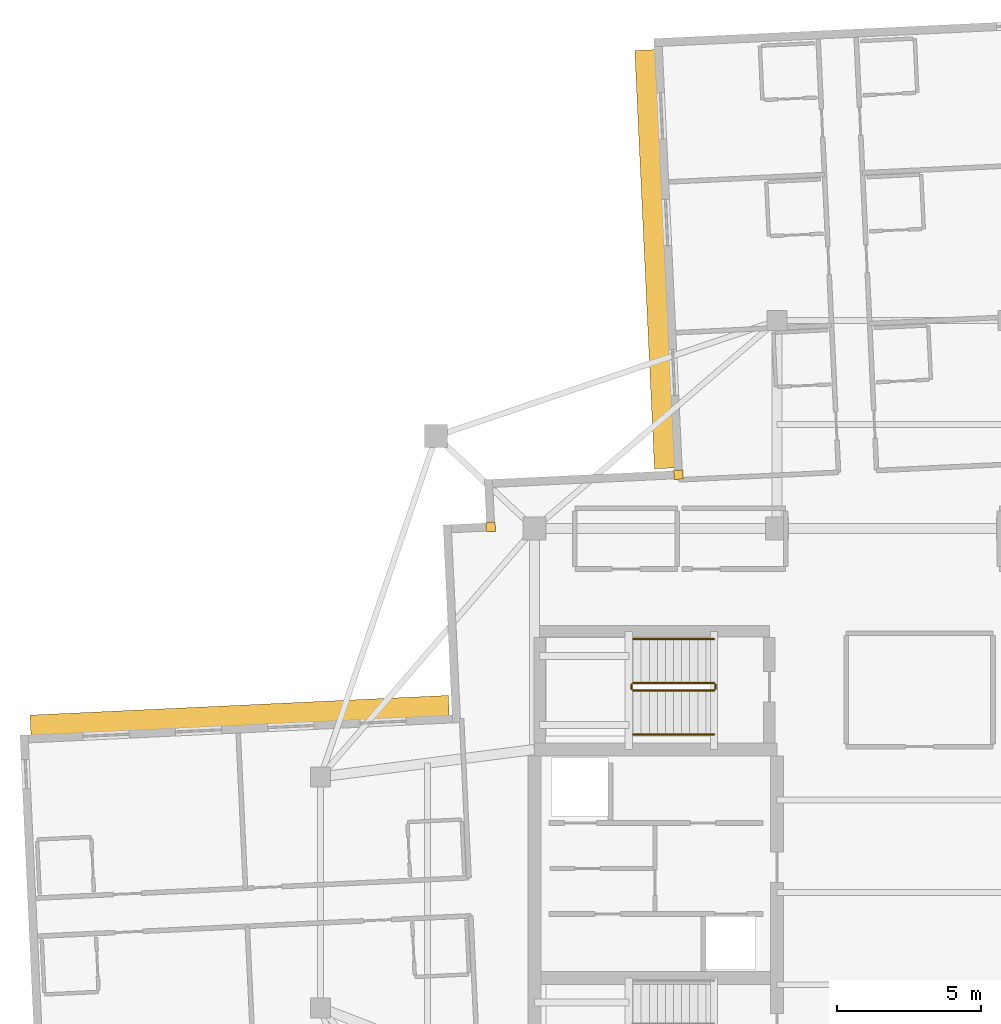
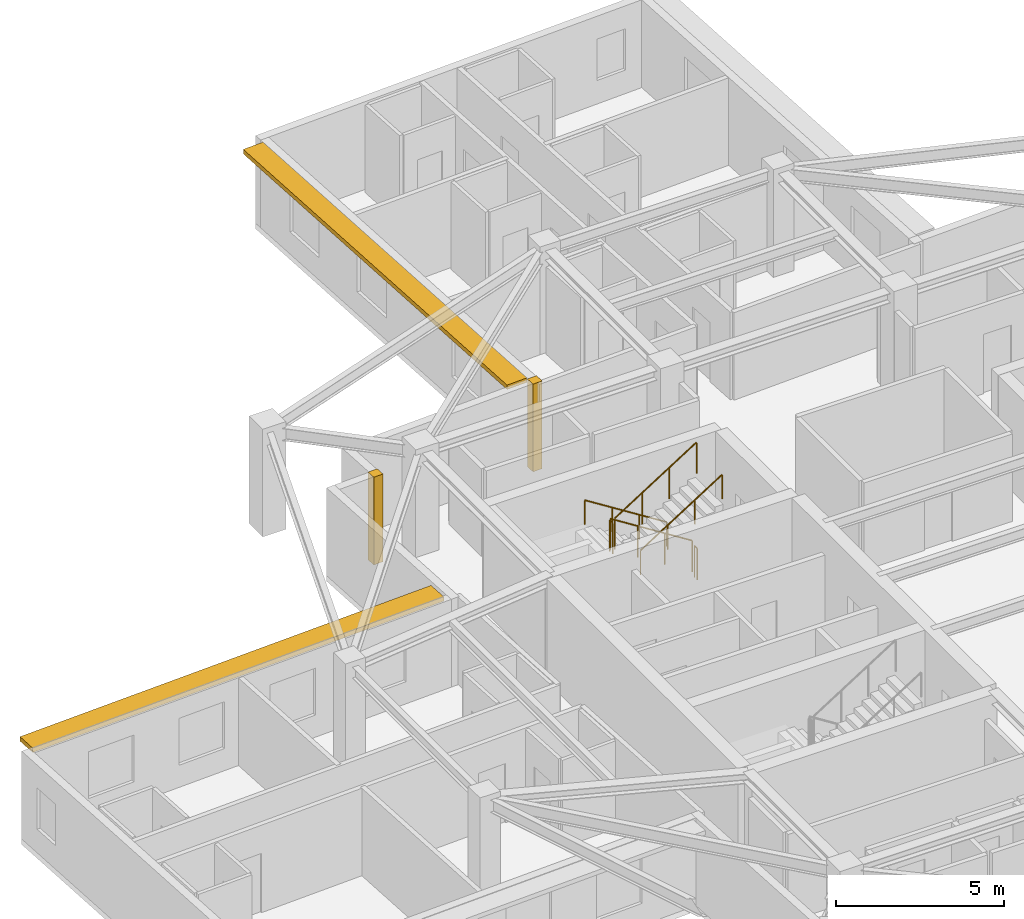
# One storey, part 12 of 13: 6 railings, 2 coverings, 2 shading devices.
"""IFC4 building model written with IfcOpenShell, lengths in metres."""

from ifc_helpers import new_model, si_unit, direction, frame, origin, origin_2d, place, context, subcontext, project, spatial, rectangle, circle, extrude, material, layer, layer_set, type_object, element, save


model = new_model("IFC4")

# Units and contexts
model_context = context("Model", 3, precision=1e-05, world=origin(), true_north=direction((0.0, 1.0)))
body_context = subcontext(model_context, "Body", "Model", "MODEL_VIEW")
ifc_project = project(units=[si_unit("LENGTHUNIT", "METRE"), si_unit("AREAUNIT", "SQUARE_METRE"), si_unit("VOLUMEUNIT", "CUBIC_METRE"), si_unit("PLANEANGLEUNIT", "RADIAN"), si_unit("MASSUNIT", "GRAM", prefix="KILO")], contexts=[model_context])

# Site, building, storey
site_placement = place(None, origin())
site = spatial("IfcSite", under=ifc_project, at=site_placement, CompositionType="ELEMENT")
building_placement = place(site_placement, origin())
building = spatial("IfcBuilding", under=site, at=building_placement, Name="Qingluan Cross Belvedere", CompositionType="ELEMENT")
storey_placement = place(building_placement, frame((0.0, 0.0, 277.199951171875)))
storey = spatial("IfcBuildingStorey", under=building, at=storey_placement, Name="L69", CompositionType="ELEMENT", Elevation=277.199951171875)

# Coverings
ifc_material_1 = material(Name="Precast concrete C45", Category="concrete")
ifc_layer_1 = layer(ifc_material_1, 0.1201171875, Name="ConcreteSpandrelCladding_120")
ifc_layer_set_1 = layer_set([ifc_layer_1], Name="Precast concrete C45")
covering_type = type_object("IfcCoveringType", Name="ConcreteSpandrelCladding_120", PredefinedType="CLADDING", material=ifc_layer_set_1)
for number, where, z_axis, x_axis, name in (
    (1, (-13.911865234375, 12.65869140625, 0.0), (0.0, 0.0, 1.0), (0.998889874962, 0.04710645071, 0.0), "Corner closure L69-NW1"),
    (2, (-7.40966796875, 14.467041015625, 0.0), (0.0, 0.0, 1.0), (0.998889874962, 0.04710645071, 0.0), "Corner closure L69-NW2"),
):
    element("IfcCovering", number, at=place(storey_placement, frame(where, z_axis=z_axis, x_axis=x_axis)), inside=storey, type_object=covering_type, Name=name, PredefinedType="CLADDING", context=body_context, shape_type="SweptSolid", body=[
        extrude(rectangle(XDim=0.320068359375, YDim=0.320068359375, at=origin_2d()), origin(), (0.0, 0.0, 1.0), 3.179931640625),
    ])

# Shading devices
ifc_material_2 = material(Name="Precast concrete C45", Category="concrete")
ifc_layer_2 = layer(ifc_material_2, 0.139892578125, Name="ConcreteSunshadeBand_700")
ifc_layer_set_2 = layer_set([ifc_layer_2], Name="Precast concrete C45")
shading_device_type = type_object("IfcShadingDeviceType", Name="ConcreteSunshadeBand_700", PredefinedType="USERDEFINED", material=ifc_layer_set_2)
for number, where, z_axis, x_axis, name in (
    (3, (-8.23193359375, 21.926513671875, 3.0), (0.0, 0.0, 1.0), (0.047109098032, -0.998889750114, 0.0), "Concrete SUNSHADE L69-NB"),
    (4, (-22.60400390625, 6.132080078125, 3.0), (0.0, 0.0, 1.0), (-0.99888976521, -0.047108777928, 0.0), "Concrete SUNSHADE L69-WA"),
):
    element("IfcShadingDevice", number, at=place(storey_placement, frame(where, z_axis=z_axis, x_axis=x_axis)), inside=storey, type_object=shading_device_type, Name=name, ObjectType="SUNSHADE", PredefinedType="USERDEFINED", context=body_context, shape_type="SweptSolid", body=[
        extrude(rectangle(XDim=14.5, YDim=0.699951171875, at=origin_2d()), origin(), (0.0, 0.0, 1.0), 0.159912109375),
    ])

# Railings
ifc_material_3 = material(Name="Brushed stainless steel tubular handrail", Category="steel")
railing_type_1 = type_object("IfcRailingType", Name="StairPitchHandrail_900", PredefinedType="HANDRAIL", material=ifc_material_3)
railing_1_placement = place(storey_placement, frame((-6.179931640625, 8.77001953125, 0.17724609375)))
element("IfcRailing", 5, at=railing_1_placement, inside=storey, type_object=railing_type_1, Name="L69 ST3 stair handrail 1", PredefinedType="HANDRAIL", context=body_context, shape_type="SweptSolid", body=[
    extrude(circle(Radius=0.02392578125, at=origin_2d()), frame((0.0, 0.0, 0.8759765625), z_axis=(-0.844908973607, 0.0, 0.534910110503), x_axis=(0.0, -1.0, 0.0)), (0.0, 0.0, 1.0), 3.31396484375),
    extrude(circle(Radius=0.02099609375, at=origin_2d()), origin(), (0.0, 0.0, 1.0), 0.851806640625),
    extrude(circle(Radius=0.02099609375, at=origin_2d()), frame((-0.933349609375, 0.0, 0.5908203125)), (0.0, 0.0, 1.0), 0.851806640625),
    extrude(circle(Radius=0.02099609375, at=origin_2d()), frame((-1.86669921875, 0.0, 1.181884765625)), (0.0, 0.0, 1.0), 0.851806640625),
    extrude(circle(Radius=0.02099609375, at=origin_2d()), frame((-2.800048828125, 0.0, 1.772705078125)), (0.0, 0.0, 1.0), 0.851806640625),
])
railing_2_placement = place(storey_placement, frame((-8.97998046875, 5.469970703125, 2.12744140625)))
element("IfcRailing", 6, at=railing_2_placement, inside=storey, type_object=railing_type_1, Name="L69 ST3 stair handrail 2", PredefinedType="HANDRAIL", context=body_context, shape_type="SweptSolid", body=[
    extrude(circle(Radius=0.02392578125, at=origin_2d()), frame((0.0, 0.0, 0.8759765625), z_axis=(0.844908973607, 0.0, 0.534910110503), x_axis=(0.0, 1.0, 0.0)), (0.0, 0.0, 1.0), 3.31396484375),
    extrude(circle(Radius=0.02099609375, at=origin_2d()), origin(), (0.0, 0.0, 1.0), 0.851806640625),
    extrude(circle(Radius=0.02099609375, at=origin_2d()), frame((0.933349609375, 0.0, 0.5908203125)), (0.0, 0.0, 1.0), 0.851806640625),
    extrude(circle(Radius=0.02099609375, at=origin_2d()), frame((1.86669921875, 0.0, 1.181884765625)), (0.0, 0.0, 1.0), 0.851806640625),
    extrude(circle(Radius=0.02099609375, at=origin_2d()), frame((2.800048828125, 0.0, 1.772705078125)), (0.0, 0.0, 1.0), 0.851806640625),
])
ifc_material_4 = material(Name="Painted steel stair well guard", Category="steel")
railing_type_2 = type_object("IfcRailingType", Name="StairWellGuard_1150", PredefinedType="BALUSTRADE", material=ifc_material_4)
railing_3_placement = place(storey_placement, frame((-6.179931640625, 7.25, 0.17724609375)))
element("IfcRailing", 7, at=railing_3_placement, inside=storey, type_object=railing_type_2, Name="L69 ST3 stair guard 1", PredefinedType="BALUSTRADE", context=body_context, shape_type="SweptSolid", body=[
    extrude(circle(Radius=0.02392578125, at=origin_2d()), frame((0.0, 0.0, 1.1259765625), z_axis=(-0.844908973607, 0.0, 0.534910110503), x_axis=(0.0, -1.0, 0.0)), (0.0, 0.0, 1.0), 3.31396484375),
    extrude(circle(Radius=0.02099609375, at=origin_2d()), origin(), (0.0, 0.0, 1.0), 1.101806640625),
    extrude(circle(Radius=0.02099609375, at=origin_2d()), frame((-0.933349609375, 0.0, 0.5908203125)), (0.0, 0.0, 1.0), 1.101806640625),
    extrude(circle(Radius=0.02099609375, at=origin_2d()), frame((-1.86669921875, 0.0, 1.181884765625)), (0.0, 0.0, 1.0), 1.101806640625),
    extrude(circle(Radius=0.02099609375, at=origin_2d()), frame((-2.800048828125, 0.0, 1.772705078125)), (0.0, 0.0, 1.0), 1.101806640625),
])
railing_4_placement = place(storey_placement, frame((-9.030029296875, 7.199951171875, 1.949951171875)))
element("IfcRailing", 8, at=railing_4_placement, inside=storey, type_object=railing_type_2, Name="L69 ST3 stair guard 2", PredefinedType="BALUSTRADE", context=body_context, shape_type="SweptSolid", body=[
    extrude(circle(Radius=0.02392578125, at=origin_2d()), frame((0.0, 0.0, 1.1259765625), z_axis=(0.0, -1.0, 0.0), x_axis=(1.0, 0.0, 0.0)), (0.0, 0.0, 1.0), 0.159912109375),
    extrude(circle(Radius=0.02099609375, at=origin_2d()), origin(), (0.0, 0.0, 1.0), 1.101806640625),
    extrude(circle(Radius=0.02099609375, at=origin_2d()), frame((0.0, -0.159912109375, 0.0)), (0.0, 0.0, 1.0), 1.101806640625),
])
railing_5_placement = place(storey_placement, frame((-8.97998046875, 6.989990234375, 2.12744140625)))
element("IfcRailing", 9, at=railing_5_placement, inside=storey, type_object=railing_type_2, Name="L69 ST3 stair guard 3", PredefinedType="BALUSTRADE", context=body_context, shape_type="SweptSolid", body=[
    extrude(circle(Radius=0.02392578125, at=origin_2d()), frame((0.0, 0.0, 1.1259765625), z_axis=(0.844908973607, 0.0, 0.534910110503), x_axis=(0.0, 1.0, 0.0)), (0.0, 0.0, 1.0), 3.31396484375),
    extrude(circle(Radius=0.02099609375, at=origin_2d()), origin(), (0.0, 0.0, 1.0), 1.101806640625),
    extrude(circle(Radius=0.02099609375, at=origin_2d()), frame((0.933349609375, 0.0, 0.5908203125)), (0.0, 0.0, 1.0), 1.101806640625),
    extrude(circle(Radius=0.02099609375, at=origin_2d()), frame((1.86669921875, 0.0, 1.181884765625)), (0.0, 0.0, 1.0), 1.101806640625),
    extrude(circle(Radius=0.02099609375, at=origin_2d()), frame((2.800048828125, 0.0, 1.772705078125)), (0.0, 0.0, 1.0), 1.101806640625),
])
railing_6_placement = place(storey_placement, frame((-6.1298828125, 7.199951171875, 0.0)))
element("IfcRailing", 10, at=railing_6_placement, inside=storey, type_object=railing_type_2, Name="L69 ST3 stair guard 4", PredefinedType="BALUSTRADE", context=body_context, shape_type="SweptSolid", body=[
    extrude(circle(Radius=0.02392578125, at=origin_2d()), frame((0.0, 0.0, 1.1259765625), z_axis=(0.0, -1.0, 0.0), x_axis=(1.0, 0.0, 0.0)), (0.0, 0.0, 1.0), 0.159912109375),
    extrude(circle(Radius=0.02099609375, at=origin_2d()), origin(), (0.0, 0.0, 1.0), 1.101806640625),
    extrude(circle(Radius=0.02099609375, at=origin_2d()), frame((0.0, -0.159912109375, 0.0)), (0.0, 0.0, 1.0), 1.101806640625),
])

save(model, "model.ifc")
